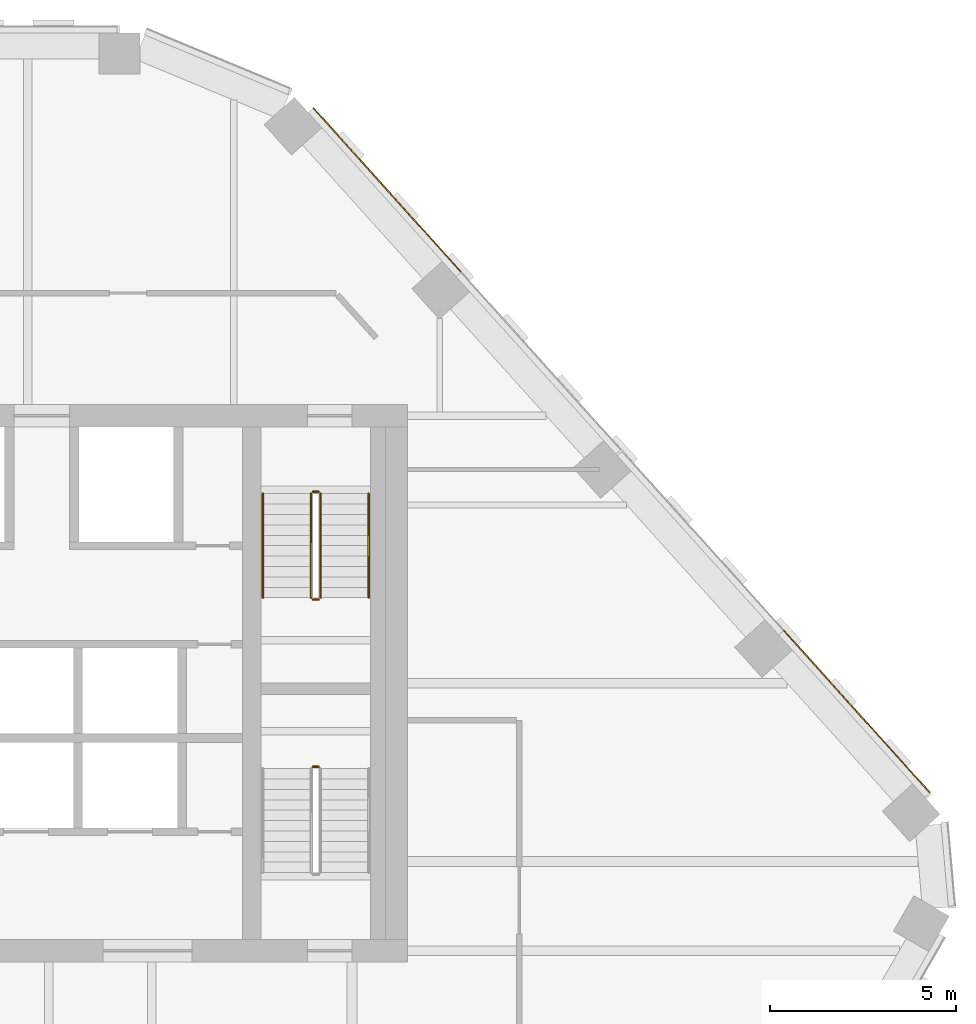
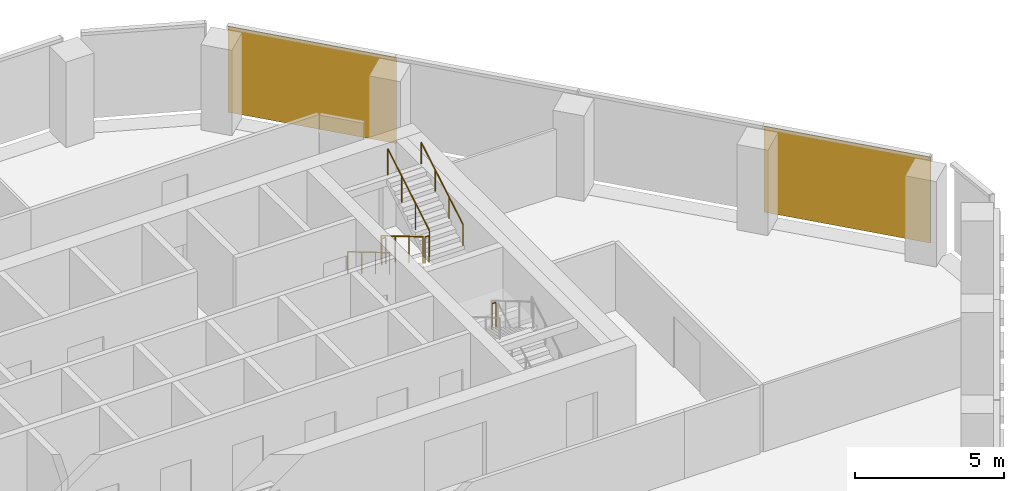
# One storey, part 16 of 16: 7 railings, 2 coverings, 1 element without a shape of its own.
"""IFC4 building model written with IfcOpenShell, lengths in metres."""

from ifc_helpers import new_model, si_unit, direction, frame, origin, origin_2d, place, context, subcontext, project, spatial, rectangle, circle, extrude, material, layer, layer_set, type_object, element, aggregate, save


model = new_model("IFC4")

# Units and contexts
model_context = context("Model", 3, precision=1e-05, world=origin(), true_north=direction((0.0, 1.0)))
body_context = subcontext(model_context, "Body", "Model", "MODEL_VIEW")
ifc_project = project(units=[si_unit("LENGTHUNIT", "METRE"), si_unit("AREAUNIT", "SQUARE_METRE"), si_unit("VOLUMEUNIT", "CUBIC_METRE"), si_unit("PLANEANGLEUNIT", "RADIAN"), si_unit("MASSUNIT", "GRAM", prefix="KILO")], contexts=[model_context])

# Site, building, storey
site_placement = place(None, origin())
site = spatial("IfcSite", under=ifc_project, at=site_placement, CompositionType="ELEMENT")
building_placement = place(site_placement, origin())
building = spatial("IfcBuilding", under=site, at=building_placement, Name="Isthmus Gate Tower", CompositionType="ELEMENT")
storey_placement = place(building_placement, frame((0.0, 0.0, 216.300048828125)))
storey = spatial("IfcBuildingStorey", under=building, at=storey_placement, Name="L54", CompositionType="ELEMENT", Elevation=216.300048828125)

# Curtain wall, coverings
ifc_material_1 = material(Name="Aluminium, pale champagne anodised", Category="aluminium")
ifc_layer_1 = layer(ifc_material_1, 0.199951171875)
ifc_layer_set_1 = layer_set([ifc_layer_1], Name="CW-1 UNITISED CURTAIN WALL 200 DEEP")
curtain_wall_type = type_object("IfcCurtainWallType", Name="CW-1 UNITISED CURTAIN WALL 200 DEEP", PredefinedType="NOTDEFINED", material=ifc_layer_set_1)
curtain_wall_placement = place(storey_placement, origin())
curtain_wall = element("IfcCurtainWall", 1, at=curtain_wall_placement, inside=storey, type_object=curtain_wall_type, Name="CW-1 NE L54", PredefinedType="NOTDEFINED")
ifc_material_2 = material(Name="Aluminium composite panel, pale champagne anodised", Category="aluminium")
ifc_layer_2 = layer(ifc_material_2, 0.031982421875)
ifc_layer_set_2 = layer_set([ifc_layer_2], Name="CW-1 PALE METAL PANEL 32")
covering_type = type_object("IfcCoveringType", Name="CW-1 PALE METAL PANEL 32", PredefinedType="CLADDING", material=ifc_layer_set_2)
covering_1_placement = place(storey_placement, frame((27.0908203125, 6.733154296875, 0.0), z_axis=(0.0, 0.0, 1.0), x_axis=(-0.669130606359, 0.743144825477, 0.0)))
covering_1 = element("IfcCovering", 2, at=covering_1_placement, type_object=covering_type, Name="CW-1 pale metal panel", PredefinedType="CLADDING", context=body_context, shape_type="SweptSolid", body=[
    extrude(rectangle(XDim=5.8818359375, YDim=0.031982421875, at=origin_2d()), origin(), (0.0, 0.0, 1.0), 3.52001953125),
])
covering_2_placement = place(storey_placement, frame((14.447021484375, 20.775390625, 0.0), z_axis=(0.0, 0.0, 1.0), x_axis=(-0.669130606359, 0.743144825477, 0.0)))
covering_2 = element("IfcCovering", 3, at=covering_2_placement, type_object=covering_type, Name="CW-1 pale metal panel", PredefinedType="CLADDING", context=body_context, shape_type="SweptSolid", body=[
    extrude(rectangle(XDim=5.94189453125, YDim=0.031982421875, at=origin_2d()), origin(), (0.0, 0.0, 1.0), 3.52001953125),
])
aggregate(curtain_wall, [covering_1, covering_2])

# Railings
ifc_material_3 = material(Name="Stainless steel balustrade", Category="steel")
railing_type_1 = type_object("IfcRailingType", Name="STAIR GUARD 1100", PredefinedType="GUARDRAIL", material=ifc_material_3)
railing_1_placement = place(storey_placement, frame((12.39990234375, 12.60009765625, 0.165771484375)))
element("IfcRailing", 4, at=railing_1_placement, inside=storey, type_object=railing_type_1, Name="L54 ST2 stair guard 1", PredefinedType="GUARDRAIL", context=body_context, shape_type="SweptSolid", body=[
    extrude(circle(Radius=0.02392578125, at=origin_2d()), frame((0.0, 0.0, 1.076171875), z_axis=(0.0, -0.860306154799, 0.50977771628), x_axis=(1.0, 0.0, 0.0)), (0.0, 0.0, 1.0), 3.254638671875),
    extrude(circle(Radius=0.02099609375, at=origin_2d()), origin(), (0.0, 0.0, 1.0), 1.052001953125),
    extrude(circle(Radius=0.02099609375, at=origin_2d()), frame((0.0, -0.933349609375, 0.552978515625)), (0.0, 0.0, 1.0), 1.052001953125),
    extrude(circle(Radius=0.02099609375, at=origin_2d()), frame((0.0, -1.86669921875, 1.106201171875)), (0.0, 0.0, 1.0), 1.052001953125),
    extrude(circle(Radius=0.02099609375, at=origin_2d()), frame((0.0, -2.800048828125, 1.6591796875)), (0.0, 0.0, 1.0), 1.052001953125),
])
railing_2_placement = place(storey_placement, frame((12.449951171875, 9.75, 1.824951171875)))
element("IfcRailing", 5, at=railing_2_placement, inside=storey, type_object=railing_type_1, Name="L54 ST2 stair guard 2", PredefinedType="GUARDRAIL", context=body_context, shape_type="SweptSolid", body=[
    extrude(circle(Radius=0.02392578125, at=origin_2d()), frame((0.0, 0.0, 1.076171875), z_axis=(1.0, 0.0, 0.0), x_axis=(0.0, 1.0, 0.0)), (0.0, 0.0, 1.0), 0.150146484375),
    extrude(circle(Radius=0.02099609375, at=origin_2d()), origin(), (0.0, 0.0, 1.0), 1.052001953125),
    extrude(circle(Radius=0.02099609375, at=origin_2d()), frame((0.150146484375, 0.0, 0.0)), (0.0, 0.0, 1.0), 1.052001953125),
])
railing_3_placement = place(storey_placement, frame((12.64990234375, 9.800048828125, 1.990966796875)))
element("IfcRailing", 6, at=railing_3_placement, inside=storey, type_object=railing_type_1, Name="L54 ST2 stair guard 3", PredefinedType="GUARDRAIL", context=body_context, shape_type="SweptSolid", body=[
    extrude(circle(Radius=0.02392578125, at=origin_2d()), frame((0.0, 0.0, 1.076171875), z_axis=(0.0, 0.860339051648, 0.50972219513), x_axis=(-1.0, 0.0, 0.0)), (0.0, 0.0, 1.0), 3.254638671875),
    extrude(circle(Radius=0.02099609375, at=origin_2d()), origin(), (0.0, 0.0, 1.0), 1.052001953125),
    extrude(circle(Radius=0.02099609375, at=origin_2d()), frame((0.0, 0.933349609375, 0.552978515625)), (0.0, 0.0, 1.0), 1.052001953125),
    extrude(circle(Radius=0.02099609375, at=origin_2d()), frame((0.0, 1.86669921875, 1.10595703125)), (0.0, 0.0, 1.0), 1.052001953125),
    extrude(circle(Radius=0.02099609375, at=origin_2d()), frame((0.0, 2.800048828125, 1.658935546875)), (0.0, 0.0, 1.0), 1.052001953125),
])
railing_4_placement = place(storey_placement, frame((12.449951171875, 12.64990234375, 0.0)))
element("IfcRailing", 7, at=railing_4_placement, inside=storey, type_object=railing_type_1, Name="L54 ST2 stair guard 4", PredefinedType="GUARDRAIL", context=body_context, shape_type="SweptSolid", body=[
    extrude(circle(Radius=0.02392578125, at=origin_2d()), frame((0.0, 0.0, 1.076171875), z_axis=(1.0, 0.0, 0.0), x_axis=(0.0, 1.0, 0.0)), (0.0, 0.0, 1.0), 0.150146484375),
    extrude(circle(Radius=0.02099609375, at=origin_2d()), origin(), (0.0, 0.0, 1.0), 1.052001953125),
    extrude(circle(Radius=0.02099609375, at=origin_2d()), frame((0.150146484375, 0.0, 0.0)), (0.0, 0.0, 1.0), 1.052001953125),
])
railing_5_placement = place(storey_placement, frame((12.60009765625, 5.25, 1.824951171875)))
element("IfcRailing", 8, at=railing_5_placement, inside=storey, type_object=railing_type_1, Name="L54 ST8 stair guard 2", PredefinedType="GUARDRAIL", context=body_context, shape_type="SweptSolid", body=[
    extrude(circle(Radius=0.02392578125, at=origin_2d()), frame((0.0, 0.0, 1.076171875), z_axis=(-1.0, 0.0, 0.0), x_axis=(0.0, -1.0, 0.0)), (0.0, 0.0, 1.0), 0.150146484375),
    extrude(circle(Radius=0.02099609375, at=origin_2d()), origin(), (0.0, 0.0, 1.0), 1.052001953125),
    extrude(circle(Radius=0.02099609375, at=origin_2d()), frame((-0.150146484375, 0.0, 0.0)), (0.0, 0.0, 1.0), 1.052001953125),
])
ifc_material_4 = material(Name="Stainless steel handrail", Category="steel")
railing_type_2 = type_object("IfcRailingType", Name="STAIR HANDRAIL 900", PredefinedType="HANDRAIL", material=ifc_material_4)
railing_6_placement = place(storey_placement, frame((11.10009765625, 12.60009765625, 0.165771484375)))
element("IfcRailing", 9, at=railing_6_placement, inside=storey, type_object=railing_type_2, Name="L54 ST2 stair handrail 1", PredefinedType="HANDRAIL", context=body_context, shape_type="SweptSolid", body=[
    extrude(circle(Radius=0.02392578125, at=origin_2d()), frame((0.0, 0.0, 0.8759765625), z_axis=(0.0, -0.860306154799, 0.50977771628), x_axis=(1.0, 0.0, 0.0)), (0.0, 0.0, 1.0), 3.254638671875),
    extrude(circle(Radius=0.02099609375, at=origin_2d()), origin(), (0.0, 0.0, 1.0), 0.851806640625),
    extrude(circle(Radius=0.02099609375, at=origin_2d()), frame((0.0, -0.933349609375, 0.552978515625)), (0.0, 0.0, 1.0), 0.851806640625),
    extrude(circle(Radius=0.02099609375, at=origin_2d()), frame((0.0, -1.86669921875, 1.106201171875)), (0.0, 0.0, 1.0), 0.851806640625),
    extrude(circle(Radius=0.02099609375, at=origin_2d()), frame((0.0, -2.800048828125, 1.6591796875)), (0.0, 0.0, 1.0), 0.851806640625),
])
railing_7_placement = place(storey_placement, frame((13.949951171875, 9.800048828125, 1.990966796875)))
element("IfcRailing", 10, at=railing_7_placement, inside=storey, type_object=railing_type_2, Name="L54 ST2 stair handrail 2", PredefinedType="HANDRAIL", context=body_context, shape_type="SweptSolid", body=[
    extrude(circle(Radius=0.02392578125, at=origin_2d()), frame((0.0, 0.0, 0.8759765625), z_axis=(0.0, 0.860339051648, 0.50972219513), x_axis=(-1.0, 0.0, 0.0)), (0.0, 0.0, 1.0), 3.254638671875),
    extrude(circle(Radius=0.02099609375, at=origin_2d()), origin(), (0.0, 0.0, 1.0), 0.851806640625),
    extrude(circle(Radius=0.02099609375, at=origin_2d()), frame((0.0, 0.933349609375, 0.552978515625)), (0.0, 0.0, 1.0), 0.851806640625),
    extrude(circle(Radius=0.02099609375, at=origin_2d()), frame((0.0, 1.86669921875, 1.10595703125)), (0.0, 0.0, 1.0), 0.851806640625),
    extrude(circle(Radius=0.02099609375, at=origin_2d()), frame((0.0, 2.800048828125, 1.658935546875)), (0.0, 0.0, 1.0), 0.851806640625),
])

save(model, "model.ifc")
